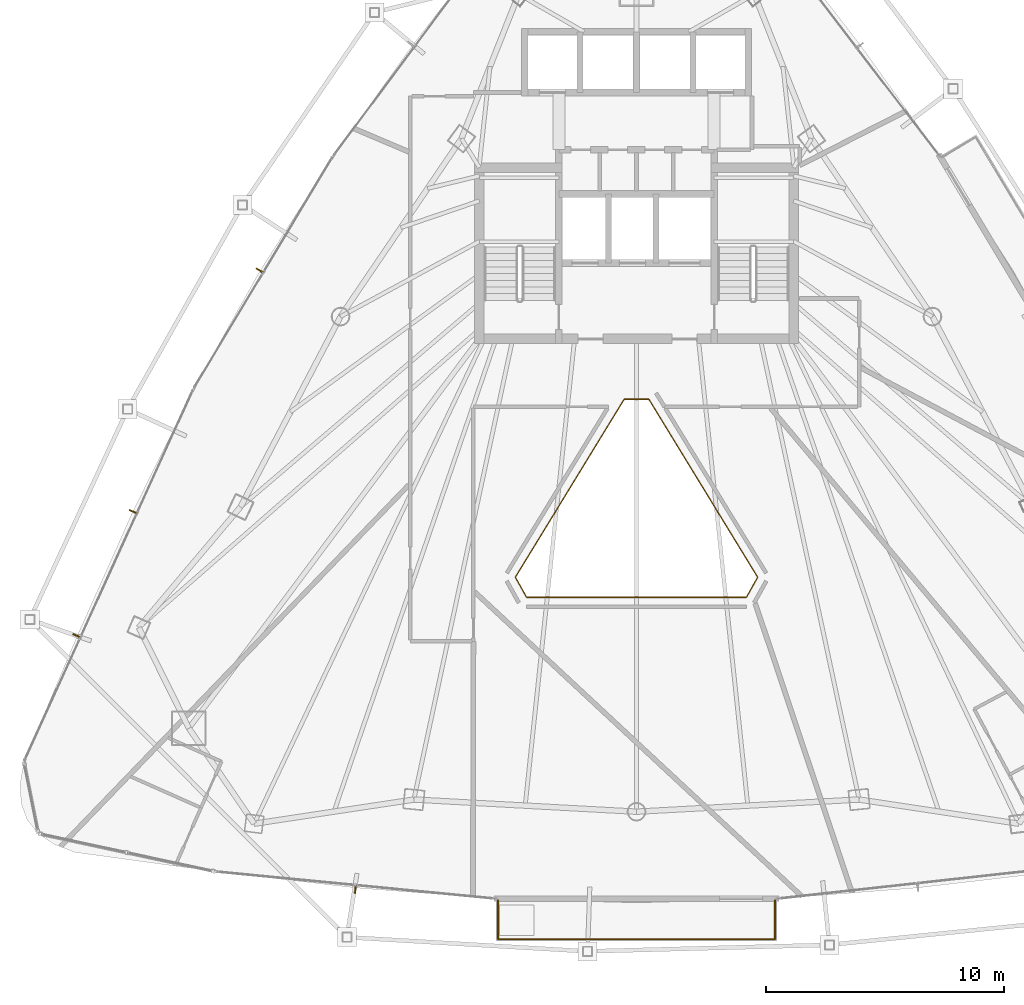
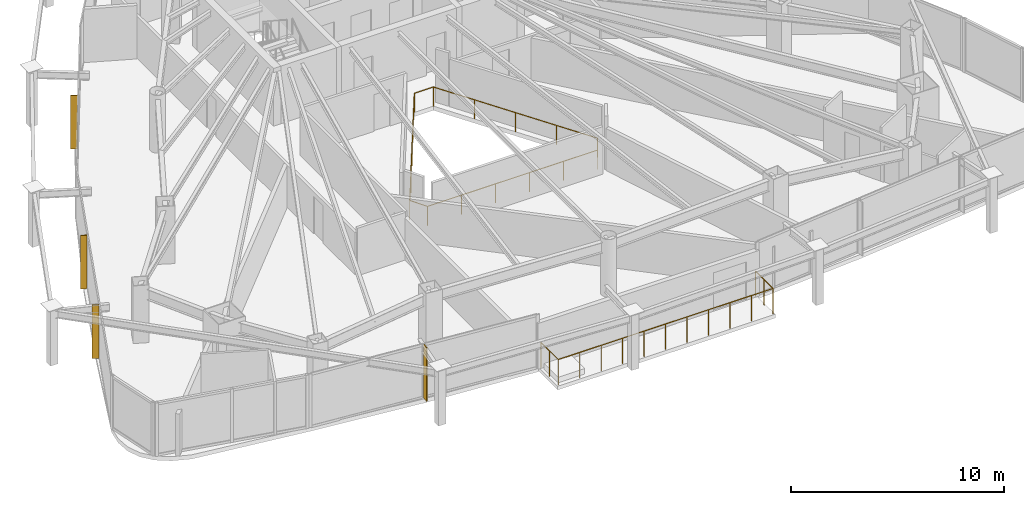
# One storey, part 29 of 31: 4 shading devices, 2 railings.
"""IFC4 building model written with IfcOpenShell, lengths in metres."""

from ifc_helpers import new_model, si_unit, direction, frame, origin, origin_2d, place, context, subcontext, project, spatial, rectangle, circle, extrude, material, layer, layer_set, type_object, element, save


model = new_model("IFC4")

# Units and contexts
model_context = context("Model", 3, precision=1e-05, world=origin(), true_north=direction((0.0, 1.0)))
body_context = subcontext(model_context, "Body", "Model", "MODEL_VIEW")
ifc_project = project(units=[si_unit("LENGTHUNIT", "METRE"), si_unit("AREAUNIT", "SQUARE_METRE"), si_unit("VOLUMEUNIT", "CUBIC_METRE"), si_unit("PLANEANGLEUNIT", "RADIAN"), si_unit("MASSUNIT", "GRAM", prefix="KILO")], contexts=[model_context])

# Site, building, storey
site_placement = place(None, origin())
site = spatial("IfcSite", under=ifc_project, at=site_placement, CompositionType="ELEMENT")
building_placement = place(site_placement, origin())
building = spatial("IfcBuilding", under=site, at=building_placement, Name="Orvanel Arch Residences", CompositionType="ELEMENT")
storey_placement = place(building_placement, frame((0.0, 0.0, 133.10009765625)))
storey = spatial("IfcBuildingStorey", under=building, at=storey_placement, Name="L37", CompositionType="ELEMENT", Elevation=133.10009765625)

# Shading devices
ifc_material = material(Name="Bronze-anodised aluminium AA6063-T6", Category="aluminium")
ifc_layer = layer(ifc_material, 0.054931640625)
ifc_layer_set = layer_set([ifc_layer], Name="Bronze-anodised aluminium AA6063-T6")
shading_device_type = type_object("IfcShadingDeviceType", Name="FIN-BRZ-320", PredefinedType="USERDEFINED", material=ifc_layer_set)
for number, where, z_axis, x_axis, name in (
    (1, (17.162109375, 29.58203125, -0.000244140625), (0.0, 0.0, 1.0), (-0.857167300702, 0.51503807491, 0.0), "L37 Anodised Bronze Mullion FIN 01"),
    (2, (11.843994140625, 19.448974609375, -0.000244140625), (0.0, 0.0, 1.0), (-0.910683660806, 0.413104429825, 0.0), "L37 Anodised Bronze Mullion FIN 01"),
    (3, (9.47509765625, 14.239013671875, -0.000244140625), (0.0, 0.0, 1.0), (-0.910683660806, 0.413104429825, 0.0), "L37 Anodised Bronze Mullion FIN 02"),
    (4, (21.19189453125, 3.570068359375, -0.000244140625), (0.0, 0.0, 1.0), (-0.09584575252, -0.995396198367, 0.0), "L37 Anodised Bronze Mullion FIN 01"),
):
    element("IfcShadingDevice", number, at=place(storey_placement, frame(where, z_axis=z_axis, x_axis=x_axis)), inside=storey, type_object=shading_device_type, Name=name, ObjectType="FIN", PredefinedType="USERDEFINED", context=body_context, shape_type="SweptSolid", body=[
        extrude(rectangle(XDim=0.320068359375, YDim=0.054931640625, at=origin_2d()), origin(), (0.0, 0.0, 1.0), 3.06005859375),
    ])

# Railings
railing_type_1 = type_object("IfcRailingType", Name="RL-ATR-1120", PredefinedType="BALUSTRADE", material=ifc_material)
railing_1_placement = place(storey_placement, frame((33.514892578125, 24.1689453125, 0.0)))
element("IfcRailing", 5, at=railing_1_placement, inside=storey, type_object=railing_type_1, Name="L37 Atrium Void Protective Balustrade", PredefinedType="BALUSTRADE", context=body_context, shape_type="SweptSolid", body=[
    extrude(circle(Radius=0.02392578125, at=origin_2d()), frame((-0.00146484375, 0.0, 1.09619140625), z_axis=(-1.0, 0.0, 0.0), x_axis=(0.0, -1.0, 0.0)), (0.0, 0.0, 1.0), 1.02685546875),
    extrude(circle(Radius=0.02392578125, at=origin_2d()), frame((-1.030517578125, -0.001220703125, 1.09619140625), z_axis=(-0.521594240044, -0.853193675992, 0.0), x_axis=(0.853193675992, -0.521594240044, 0.0)), (0.0, 0.0, 1.0), 8.760498046875),
    extrude(circle(Radius=0.02392578125, at=origin_2d()), frame((-5.60009765625, -7.478271484375, 1.09619140625), z_axis=(0.488580278854, -0.872518945992, 0.0), x_axis=(0.872518945992, 0.488580278854, 0.0)), (0.0, 0.0, 1.0), 0.962890625),
    extrude(circle(Radius=0.02392578125, at=origin_2d()), frame((-5.12744140625, -8.31982421875, 1.09619140625), z_axis=(1.0, 0.0, 0.0), x_axis=(0.0, 1.0, 0.0)), (0.0, 0.0, 1.0), 9.22509765625),
    extrude(circle(Radius=0.02392578125, at=origin_2d()), frame((4.099853515625, -8.318603515625, 1.09619140625), z_axis=(0.488580278854, 0.872518945992, 0.0), x_axis=(-0.872518945992, 0.488580278854, 0.0)), (0.0, 0.0, 1.0), 0.962890625),
    extrude(circle(Radius=0.02392578125, at=origin_2d()), frame((4.5703125, -7.475830078125, 1.09619140625), z_axis=(-0.521594240044, 0.853193675992, 0.0), x_axis=(-0.853193675992, -0.521594240044, 0.0)), (0.0, 0.0, 1.0), 8.760498046875),
    extrude(circle(Radius=0.02099609375, at=origin_2d()), origin(), (0.0, 0.0, 1.0), 1.070068359375),
    extrude(circle(Radius=0.02099609375, at=origin_2d()), frame((-1.02978515625, 0.0, 0.0)), (0.0, 0.0, 1.0), 1.070068359375),
    extrude(circle(Radius=0.02099609375, at=origin_2d()), frame((-2.172607421875, -1.869140625, 0.0)), (0.0, 0.0, 1.0), 1.070068359375),
    extrude(circle(Radius=0.02099609375, at=origin_2d()), frame((-3.3154296875, -3.738525390625, 0.0)), (0.0, 0.0, 1.0), 1.070068359375),
    extrude(circle(Radius=0.02099609375, at=origin_2d()), frame((-4.4580078125, -5.60791015625, 0.0)), (0.0, 0.0, 1.0), 1.070068359375),
    extrude(circle(Radius=0.02099609375, at=origin_2d()), frame((-5.600830078125, -7.47705078125, 0.0)), (0.0, 0.0, 1.0), 1.070068359375),
    extrude(circle(Radius=0.02099609375, at=origin_2d()), frame((-5.12890625, -8.31982421875, 0.0)), (0.0, 0.0, 1.0), 1.070068359375),
    extrude(circle(Radius=0.02099609375, at=origin_2d()), frame((-3.283203125, -8.31982421875, 0.0)), (0.0, 0.0, 1.0), 1.070068359375),
    extrude(circle(Radius=0.02099609375, at=origin_2d()), frame((-1.437744140625, -8.31982421875, 0.0)), (0.0, 0.0, 1.0), 1.070068359375),
    extrude(circle(Radius=0.02099609375, at=origin_2d()), frame((0.407958984375, -8.31982421875, 0.0)), (0.0, 0.0, 1.0), 1.070068359375),
    extrude(circle(Radius=0.02099609375, at=origin_2d()), frame((2.25341796875, -8.31982421875, 0.0)), (0.0, 0.0, 1.0), 1.070068359375),
    extrude(circle(Radius=0.02099609375, at=origin_2d()), frame((4.09912109375, -8.31982421875, 0.0)), (0.0, 0.0, 1.0), 1.070068359375),
    extrude(circle(Radius=0.02099609375, at=origin_2d()), frame((4.571044921875, -7.47705078125, 0.0)), (0.0, 0.0, 1.0), 1.070068359375),
    extrude(circle(Radius=0.02099609375, at=origin_2d()), frame((3.42822265625, -5.60791015625, 0.0)), (0.0, 0.0, 1.0), 1.070068359375),
    extrude(circle(Radius=0.02099609375, at=origin_2d()), frame((2.28564453125, -3.738525390625, 0.0)), (0.0, 0.0, 1.0), 1.070068359375),
    extrude(circle(Radius=0.02099609375, at=origin_2d()), frame((1.142822265625, -1.869140625, 0.0)), (0.0, 0.0, 1.0), 1.070068359375),
])
railing_type_2 = type_object("IfcRailingType", Name="RL-BAL-1480", PredefinedType="BALUSTRADE", material=ifc_material)
railing_2_placement = place(storey_placement, frame((27.18505859375, 3.125, 0.0)))
element("IfcRailing", 6, at=railing_2_placement, inside=storey, type_object=railing_type_2, Name="L37 Balcony Perimeter Guardrail Face 2", PredefinedType="BALUSTRADE", context=body_context, shape_type="SweptSolid", body=[
    extrude(circle(Radius=0.02392578125, at=origin_2d()), frame((0.0, -0.00146484375, 1.4560546875), z_axis=(0.0, -1.0, 0.0), x_axis=(1.0, 0.0, 0.0)), (0.0, 0.0, 1.0), 1.636962890625),
    extrude(circle(Radius=0.02392578125, at=origin_2d()), frame((0.00146484375, -1.639892578125, 1.4560546875), z_axis=(1.0, 0.0, 0.0), x_axis=(0.0, 1.0, 0.0)), (0.0, 0.0, 1.0), 11.626953125),
    extrude(circle(Radius=0.02392578125, at=origin_2d()), frame((11.6298828125, -1.638427734375, 1.4560546875), z_axis=(0.0, 1.0, 0.0), x_axis=(-1.0, 0.0, 0.0)), (0.0, 0.0, 1.0), 1.636962890625),
    extrude(circle(Radius=0.02099609375, at=origin_2d()), origin(), (0.0, 0.0, 1.0), 1.429931640625),
    extrude(circle(Radius=0.02099609375, at=origin_2d()), frame((0.0, -0.81982421875, 0.0)), (0.0, 0.0, 1.0), 1.429931640625),
    extrude(circle(Radius=0.02099609375, at=origin_2d()), frame((0.0, -1.639892578125, 0.0)), (0.0, 0.0, 1.0), 1.429931640625),
    extrude(circle(Radius=0.02099609375, at=origin_2d()), frame((1.1630859375, -1.639892578125, 0.0)), (0.0, 0.0, 1.0), 1.429931640625),
    extrude(circle(Radius=0.02099609375, at=origin_2d()), frame((2.325927734375, -1.639892578125, 0.0)), (0.0, 0.0, 1.0), 1.429931640625),
    extrude(circle(Radius=0.02099609375, at=origin_2d()), frame((3.489013671875, -1.639892578125, 0.0)), (0.0, 0.0, 1.0), 1.429931640625),
    extrude(circle(Radius=0.02099609375, at=origin_2d()), frame((4.65185546875, -1.639892578125, 0.0)), (0.0, 0.0, 1.0), 1.429931640625),
    extrude(circle(Radius=0.02099609375, at=origin_2d()), frame((5.81494140625, -1.639892578125, 0.0)), (0.0, 0.0, 1.0), 1.429931640625),
    extrude(circle(Radius=0.02099609375, at=origin_2d()), frame((6.97802734375, -1.639892578125, 0.0)), (0.0, 0.0, 1.0), 1.429931640625),
    extrude(circle(Radius=0.02099609375, at=origin_2d()), frame((8.140869140625, -1.639892578125, 0.0)), (0.0, 0.0, 1.0), 1.429931640625),
    extrude(circle(Radius=0.02099609375, at=origin_2d()), frame((9.303955078125, -1.639892578125, 0.0)), (0.0, 0.0, 1.0), 1.429931640625),
    extrude(circle(Radius=0.02099609375, at=origin_2d()), frame((10.466796875, -1.639892578125, 0.0)), (0.0, 0.0, 1.0), 1.429931640625),
    extrude(circle(Radius=0.02099609375, at=origin_2d()), frame((11.6298828125, -1.639892578125, 0.0)), (0.0, 0.0, 1.0), 1.429931640625),
    extrude(circle(Radius=0.02099609375, at=origin_2d()), frame((11.6298828125, -0.81982421875, 0.0)), (0.0, 0.0, 1.0), 1.429931640625),
    extrude(circle(Radius=0.02099609375, at=origin_2d()), frame((11.6298828125, 0.0, 0.0)), (0.0, 0.0, 1.0), 1.429931640625),
])

save(model, "model.ifc")
